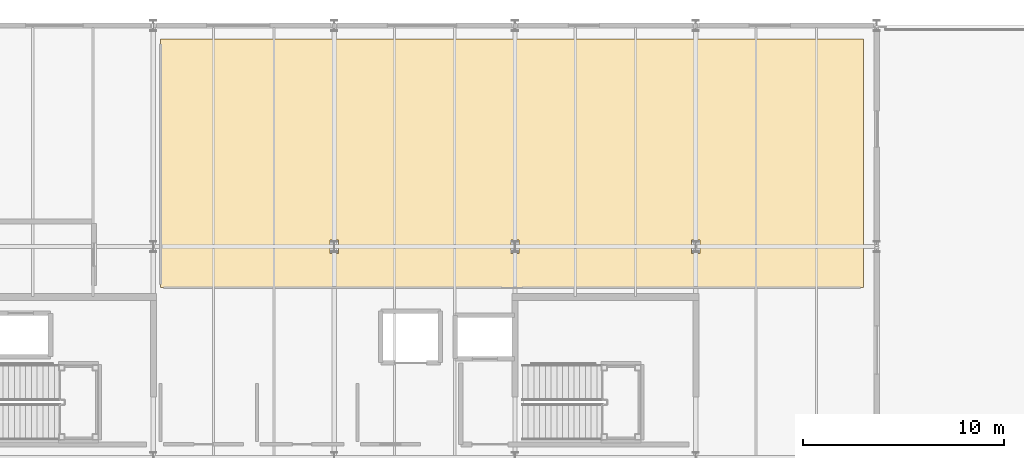
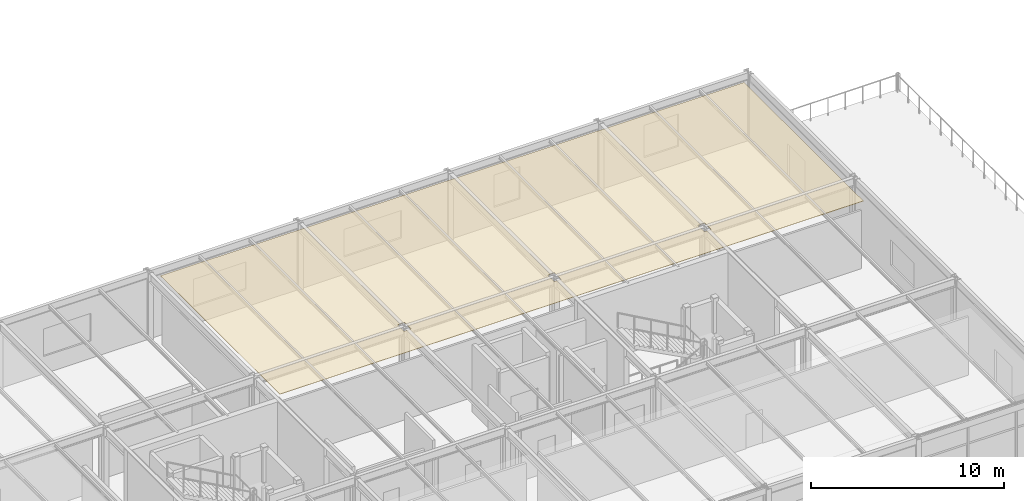
# One storey, part 43 of 44: 1 covering.
"""IFC4 building model written with IfcOpenShell, lengths in metres."""

from ifc_helpers import new_model, si_unit, direction, frame, origin, place, context, subcontext, project, spatial, polyline, outline, extrude, material, layer, layer_set, type_object, element, save


model = new_model("IFC4")

# Units and contexts
model_context = context("Model", 3, precision=1e-05, world=origin(), true_north=direction((0.0, 1.0)))
body_context = subcontext(model_context, "Body", "Model", "MODEL_VIEW")
ifc_project = project(units=[si_unit("LENGTHUNIT", "METRE"), si_unit("AREAUNIT", "SQUARE_METRE"), si_unit("VOLUMEUNIT", "CUBIC_METRE"), si_unit("PLANEANGLEUNIT", "RADIAN"), si_unit("MASSUNIT", "GRAM", prefix="KILO")], contexts=[model_context])

# Site, building, storey
site_placement = place(None, origin())
site = spatial("IfcSite", under=ifc_project, at=site_placement, CompositionType="ELEMENT")
building_placement = place(site_placement, origin())
building = spatial("IfcBuilding", under=site, at=building_placement, Name="Marlcrest Central Station", CompositionType="ELEMENT")
storey_placement = place(building_placement, frame((0.0, 0.0, 19.5)))
storey = spatial("IfcBuildingStorey", under=building, at=storey_placement, Name="L04", CompositionType="ELEMENT", Elevation=19.5)

# Covering
ifc_material = material(Name="Perforated acoustic mineral-fibre ceiling")
ifc_layer = layer(ifc_material, 0.02490234375, Name="CV-CLG")
ifc_layer_set = layer_set([ifc_layer], Name="Perforated acoustic mineral-fibre ceiling")
covering_type = type_object("IfcCoveringType", Name="CV-CLG", PredefinedType="CEILING", material=ifc_layer_set)
covering_placement = place(storey_placement, frame((0.0, 0.0, 4.175048828125)))
element("IfcCovering", 1, at=covering_placement, inside=storey, type_object=covering_type, Name="cov-clg-0134", PredefinedType="CEILING", context=body_context, shape_type="SweptSolid", body=[
    extrude(outline(polyline([(62.340087890625, 131.340087890625), (62.340087890625, 118.9599609375), (27.360107421875, 118.9599609375), (27.360107421875, 131.340087890625), (62.340087890625, 131.340087890625)]), holes=[polyline([(35.7900390625, 120.6650390625), (36.2099609375, 120.6650390625), (36.2099609375, 121.3349609375), (35.7900390625, 121.3349609375), (35.7900390625, 120.6650390625)]), polyline([(44.7900390625, 121.3349609375), (44.7900390625, 120.6650390625), (45.2099609375, 120.6650390625), (45.2099609375, 121.3349609375), (44.7900390625, 121.3349609375)]), polyline([(54.2099609375, 121.3349609375), (53.7900390625, 121.3349609375), (53.7900390625, 120.6650390625), (54.2099609375, 120.6650390625), (54.2099609375, 121.3349609375)])]), origin(), (0.0, 0.0, 1.0), 0.02490234375),
])

save(model, "model.ifc")
